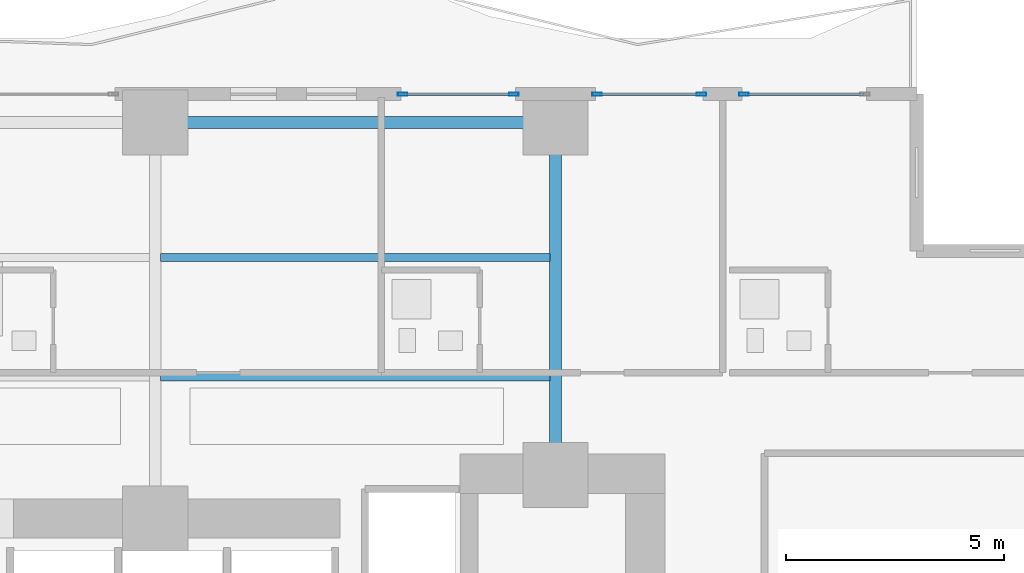
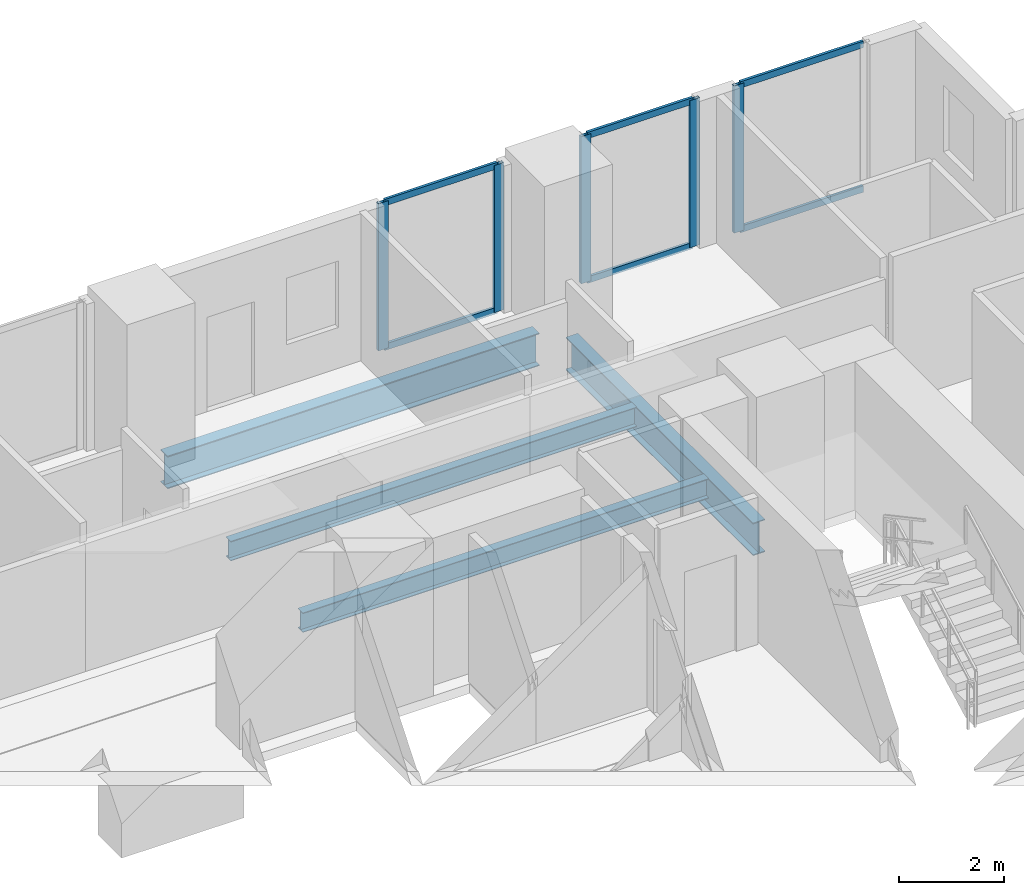
# One storey, part 16 of 30: 11 members, 4 beams, 3 elements without a shape of their own.
"""IFC4 building model written with IfcOpenShell, lengths in metres."""

from ifc_helpers import new_model, si_unit, direction, frame, origin, origin_2d, place, context, subcontext, project, spatial, hollow_rectangle, i_section, extrude, material, layer, layer_set, material_profile, profile_set, type_object, element, aggregate, save


model = new_model("IFC4")

# Units and contexts
model_context = context("Model", 3, precision=1e-05, world=origin(), true_north=direction((0.0, 1.0)))
body_context = subcontext(model_context, "Body", "Model", "MODEL_VIEW")
ifc_project = project(units=[si_unit("LENGTHUNIT", "METRE"), si_unit("AREAUNIT", "SQUARE_METRE"), si_unit("VOLUMEUNIT", "CUBIC_METRE"), si_unit("PLANEANGLEUNIT", "RADIAN"), si_unit("MASSUNIT", "GRAM", prefix="KILO")], contexts=[model_context])

# Site, building, storey
site_placement = place(None, origin())
site = spatial("IfcSite", under=ifc_project, at=site_placement, CompositionType="ELEMENT")
building_placement = place(site_placement, origin())
building = spatial("IfcBuilding", under=site, at=building_placement, Name="Zuhayl Quay Hotel", CompositionType="ELEMENT")
storey_placement = place(building_placement, frame((0.0, 0.0, 82.35009765625)))
storey = spatial("IfcBuildingStorey", under=building, at=storey_placement, Name="L20", CompositionType="ELEMENT", Elevation=82.35009765625)

# Beams
ifc_material_1 = material(Name="Steel ASTM A992 Grade 50", Category="steel")
ifc_material_profile_1 = material_profile(ifc_material_1, i_section(OverallWidth=0.26708984375, OverallDepth=0.761962890625, WebThickness=0.014404296875, FlangeThickness=0.021484375, at=origin_2d()), Name="W30X116")
ifc_profile_set_1 = profile_set([ifc_material_profile_1], Name="Steel ASTM A992 Grade 50")
beam_type_1 = type_object("IfcBeamType", Name="BM_B1_W30X116", PredefinedType="BEAM", material=ifc_profile_set_1)
beam_1_placement = place(storey_placement, frame((13.300048828125, 22.449951171875, -0.60107421875), z_axis=(-1.0, 0.0, 0.0), x_axis=(0.0, -1.0, 0.0)))
element("IfcBeam", 1, at=beam_1_placement, inside=storey, type_object=beam_type_1, Name="L20 Floor Beam RG_L20_07", PredefinedType="BEAM", context=body_context, shape_type="SweptSolid", body=[
    extrude(i_section(OverallWidth=0.26708984375, OverallDepth=0.761962890625, WebThickness=0.014404296875, FlangeThickness=0.021484375, at=origin_2d()), origin(), (0.0, 0.0, 1.0), 8.199951171875),
])
beam_2_placement = place(storey_placement, frame((13.800048828125, 14.800048828125, -0.60107421875), z_axis=(0.0, 1.0, 0.0), x_axis=(-1.0, 0.0, 0.0)))
element("IfcBeam", 2, at=beam_2_placement, inside=storey, type_object=beam_type_1, Name="L20 Floor Beam FG_N_L20_4", PredefinedType="BEAM", context=body_context, shape_type="SweptSolid", body=[
    extrude(i_section(OverallWidth=0.26708984375, OverallDepth=0.761962890625, WebThickness=0.014404296875, FlangeThickness=0.021484375, at=origin_2d()), origin(), (0.0, 0.0, 1.0), 7.14990234375),
])
ifc_material_profile_2 = material_profile(ifc_material_1, i_section(OverallWidth=0.18994140625, OverallDepth=0.45703125, WebThickness=0.009033203125, FlangeThickness=0.014404296875, at=origin_2d()), Name="W18X50")
ifc_profile_set_2 = profile_set([ifc_material_profile_2], Name="Steel ASTM A992 Grade 50")
beam_type_2 = type_object("IfcBeamType", Name="BM_J2_W18X50", PredefinedType="JOIST", material=ifc_profile_set_2)
for number, where, z_axis, x_axis, name in (
    (3, (4.7255859375, 16.60009765625, -0.448486328125), (1.0, 0.0, 0.0), (0.0, 1.0, 0.0), "L20 Floor Beam FJ_L20_1_3"),
    (4, (4.7255859375, 19.35009765625, -0.448486328125), (1.0, 0.0, 0.0), (0.0, 1.0, 0.0), "L20 Floor Beam FJ_L20_2_3"),
):
    element("IfcBeam", number, at=place(storey_placement, frame(where, z_axis=z_axis, x_axis=x_axis)), inside=storey, type_object=beam_type_2, Name=name, PredefinedType="JOIST", context=body_context, shape_type="SweptSolid", body=[
        extrude(i_section(OverallWidth=0.18994140625, OverallDepth=0.45703125, WebThickness=0.009033203125, FlangeThickness=0.014404296875, at=origin_2d()), origin(), (0.0, 0.0, 1.0), 8.948974609375),
    ])

# Curtain wall, members
ifc_material_2 = material(Name="Anodised Aluminium 6063-T6", Category="aluminium")
ifc_layer = layer(ifc_material_2, 0.18994140625, Name="Anodised Aluminium 6063-T6", Category="aluminium")
ifc_layer_set = layer_set([ifc_layer], Name="Anodised Aluminium 6063-T6")
curtain_wall_type = type_object("IfcCurtainWallType", Name="CW_SYS_Z1", PredefinedType="USERDEFINED", material=ifc_layer_set)
curtain_wall_1_placement = place(storey_placement, origin())
curtain_wall_1 = element("IfcCurtainWall", 5, at=curtain_wall_1_placement, inside=storey, type_object=curtain_wall_type, Name="L20 Curtain Wall ENV_L20_N_CW6", ObjectType="UNITISED CURTAIN WALL", PredefinedType="USERDEFINED")
ifc_material_3 = material(Name="Black-anodised aluminium 6063-T6", Category="aluminium")
ifc_material_profile_3 = material_profile(ifc_material_3, hollow_rectangle(XDim=0.074951171875, YDim=0.219970703125, WallThickness=0.00390625, at=origin_2d()), Name="ALU220X75")
ifc_profile_set_3 = profile_set([ifc_material_profile_3], Name="Black-anodised aluminium 6063-T6")
member_type_1 = type_object("IfcMemberType", Name="MB_CW_MUL_220", PredefinedType="MULLION", material=ifc_profile_set_3)
member_1_placement = place(storey_placement, frame((10.28759765625, 23.10009765625, 0.0), z_axis=(0.0, 0.0, 1.0), x_axis=(0.0, 1.0, 0.0)))
member_1 = element("IfcMember", 6, at=member_1_placement, type_object=member_type_1, Name="CW-Z1 mullion 1", PredefinedType="MULLION", context=body_context, shape_type="SweptSolid", body=[
    extrude(hollow_rectangle(XDim=0.074951171875, YDim=0.219970703125, WallThickness=0.00390625, at=origin_2d()), origin(), (0.0, 0.0, 1.0), 3.429931640625),
])
member_2_placement = place(storey_placement, frame((12.842529296875, 23.10009765625, 0.0), z_axis=(0.0, 0.0, 1.0), x_axis=(0.0, 1.0, 0.0)))
member_2 = element("IfcMember", 7, at=member_2_placement, type_object=member_type_1, Name="CW-Z1 mullion 2", PredefinedType="MULLION", context=body_context, shape_type="SweptSolid", body=[
    extrude(hollow_rectangle(XDim=0.074951171875, YDim=0.219970703125, WallThickness=0.00390625, at=origin_2d()), origin(), (0.0, 0.0, 1.0), 3.429931640625),
])

curtain_wall_2_placement = place(storey_placement, origin())
curtain_wall_2 = element("IfcCurtainWall", 8, at=curtain_wall_2_placement, inside=storey, type_object=curtain_wall_type, Name="L20 Curtain Wall ENV_L20_N_CW7", ObjectType="UNITISED CURTAIN WALL", PredefinedType="USERDEFINED")
member_3_placement = place(storey_placement, frame((14.757568359375, 23.10009765625, 0.0), z_axis=(0.0, 0.0, 1.0), x_axis=(0.0, 1.0, 0.0)))
member_3 = element("IfcMember", 9, at=member_3_placement, type_object=member_type_1, Name="CW-Z1 mullion 1", PredefinedType="MULLION", context=body_context, shape_type="SweptSolid", body=[
    extrude(hollow_rectangle(XDim=0.074951171875, YDim=0.219970703125, WallThickness=0.00390625, at=origin_2d()), origin(), (0.0, 0.0, 1.0), 3.429931640625),
])
member_4_placement = place(storey_placement, frame((17.152587890625, 23.10009765625, 0.0), z_axis=(0.0, 0.0, 1.0), x_axis=(0.0, 1.0, 0.0)))
member_4 = element("IfcMember", 10, at=member_4_placement, type_object=member_type_1, Name="CW-Z1 mullion 2", PredefinedType="MULLION", context=body_context, shape_type="SweptSolid", body=[
    extrude(hollow_rectangle(XDim=0.074951171875, YDim=0.219970703125, WallThickness=0.00390625, at=origin_2d()), origin(), (0.0, 0.0, 1.0), 3.429931640625),
])

# Curtain wall, member
curtain_wall_3_placement = place(storey_placement, origin())
curtain_wall_3 = element("IfcCurtainWall", 11, at=curtain_wall_3_placement, inside=storey, type_object=curtain_wall_type, Name="L20 Curtain Wall ENV_L20_N_CW8", ObjectType="UNITISED CURTAIN WALL", PredefinedType="USERDEFINED")
member_5_placement = place(storey_placement, frame((18.12744140625, 23.10009765625, 0.0), z_axis=(0.0, 0.0, 1.0), x_axis=(0.0, 1.0, 0.0)))
member_5 = element("IfcMember", 12, at=member_5_placement, type_object=member_type_1, Name="CW-Z1 mullion 1", PredefinedType="MULLION", context=body_context, shape_type="SweptSolid", body=[
    extrude(hollow_rectangle(XDim=0.074951171875, YDim=0.219970703125, WallThickness=0.00390625, at=origin_2d()), origin(), (0.0, 0.0, 1.0), 3.429931640625),
])

# Member
ifc_material_profile_4 = material_profile(ifc_material_3, hollow_rectangle(XDim=0.06005859375, YDim=0.14990234375, WallThickness=0.00341796875, at=origin_2d()), Name="ALU150X60")
ifc_profile_set_4 = profile_set([ifc_material_profile_4], Name="Black-anodised aluminium 6063-T6")
member_type_2 = type_object("IfcMemberType", Name="MB_CW_TRN_150", PredefinedType="USERDEFINED", material=ifc_profile_set_4)
member_6_placement = place(storey_placement, frame((10.324951171875, 23.10009765625, 0.02978515625), z_axis=(1.0, 0.0, 0.0), x_axis=(0.0, 1.0, 0.0)))
member_6 = element("IfcMember", 13, at=member_6_placement, type_object=member_type_2, Name="CW-Z1 transom 1.1", ObjectType="TRANSOM", PredefinedType="USERDEFINED", context=body_context, shape_type="SweptSolid", body=[
    extrude(hollow_rectangle(XDim=0.06005859375, YDim=0.14990234375, WallThickness=0.00341796875, at=origin_2d()), origin(), (0.0, 0.0, 1.0), 2.47998046875),
])

member_7_placement = place(storey_placement, frame((10.324951171875, 23.10009765625, 3.39990234375), z_axis=(1.0, 0.0, 0.0), x_axis=(0.0, 1.0, 0.0)))
member_7 = element("IfcMember", 14, at=member_7_placement, type_object=member_type_2, Name="CW-Z1 transom 1.2", ObjectType="TRANSOM", PredefinedType="USERDEFINED", context=body_context, shape_type="SweptSolid", body=[
    extrude(hollow_rectangle(XDim=0.06005859375, YDim=0.14990234375, WallThickness=0.00341796875, at=origin_2d()), origin(), (0.0, 0.0, 1.0), 2.47998046875),
])

aggregate(curtain_wall_1, [member_1, member_2, member_6, member_7])

member_8_placement = place(storey_placement, frame((14.794921875, 23.10009765625, 0.02978515625), z_axis=(1.0, 0.0, 0.0), x_axis=(0.0, 1.0, 0.0)))
member_8 = element("IfcMember", 15, at=member_8_placement, type_object=member_type_2, Name="CW-Z1 transom 1.1", ObjectType="TRANSOM", PredefinedType="USERDEFINED", context=body_context, shape_type="SweptSolid", body=[
    extrude(hollow_rectangle(XDim=0.06005859375, YDim=0.14990234375, WallThickness=0.00341796875, at=origin_2d()), origin(), (0.0, 0.0, 1.0), 2.320068359375),
])

member_9_placement = place(storey_placement, frame((14.794921875, 23.10009765625, 3.39990234375), z_axis=(1.0, 0.0, 0.0), x_axis=(0.0, 1.0, 0.0)))
member_9 = element("IfcMember", 16, at=member_9_placement, type_object=member_type_2, Name="CW-Z1 transom 1.2", ObjectType="TRANSOM", PredefinedType="USERDEFINED", context=body_context, shape_type="SweptSolid", body=[
    extrude(hollow_rectangle(XDim=0.06005859375, YDim=0.14990234375, WallThickness=0.00341796875, at=origin_2d()), origin(), (0.0, 0.0, 1.0), 2.320068359375),
])

aggregate(curtain_wall_2, [member_3, member_4, member_8, member_9])

member_10_placement = place(storey_placement, frame((18.1650390625, 23.10009765625, 0.02978515625), z_axis=(1.0, 0.0, 0.0), x_axis=(0.0, 1.0, 0.0)))
member_10 = element("IfcMember", 17, at=member_10_placement, type_object=member_type_2, Name="CW-Z1 transom 1.1", ObjectType="TRANSOM", PredefinedType="USERDEFINED", context=body_context, shape_type="SweptSolid", body=[
    extrude(hollow_rectangle(XDim=0.06005859375, YDim=0.14990234375, WallThickness=0.00341796875, at=origin_2d()), origin(), (0.0, 0.0, 1.0), 2.7099609375),
])

member_11_placement = place(storey_placement, frame((18.1650390625, 23.10009765625, 3.39990234375), z_axis=(1.0, 0.0, 0.0), x_axis=(0.0, 1.0, 0.0)))
member_11 = element("IfcMember", 18, at=member_11_placement, type_object=member_type_2, Name="CW-Z1 transom 1.2", ObjectType="TRANSOM", PredefinedType="USERDEFINED", context=body_context, shape_type="SweptSolid", body=[
    extrude(hollow_rectangle(XDim=0.06005859375, YDim=0.14990234375, WallThickness=0.00341796875, at=origin_2d()), origin(), (0.0, 0.0, 1.0), 2.7099609375),
])

aggregate(curtain_wall_3, [member_5, member_10, member_11])

save(model, "model.ifc")
